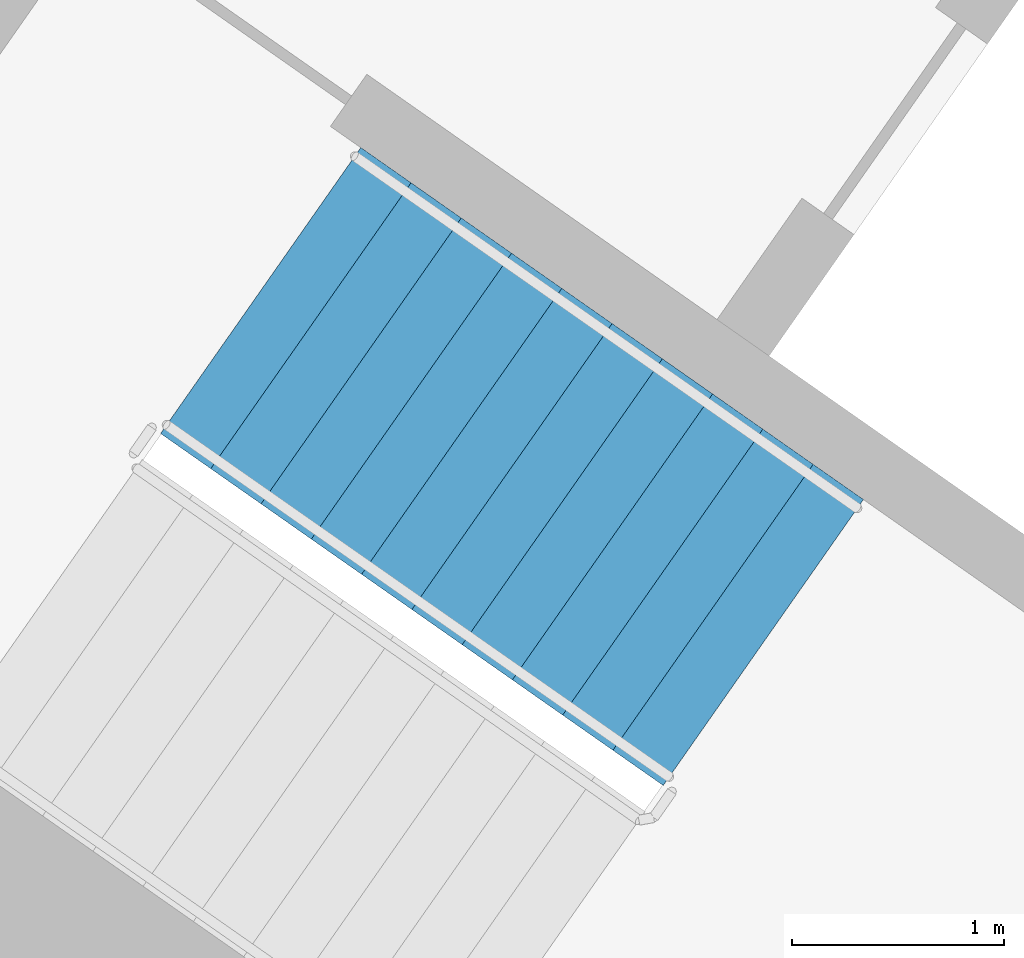
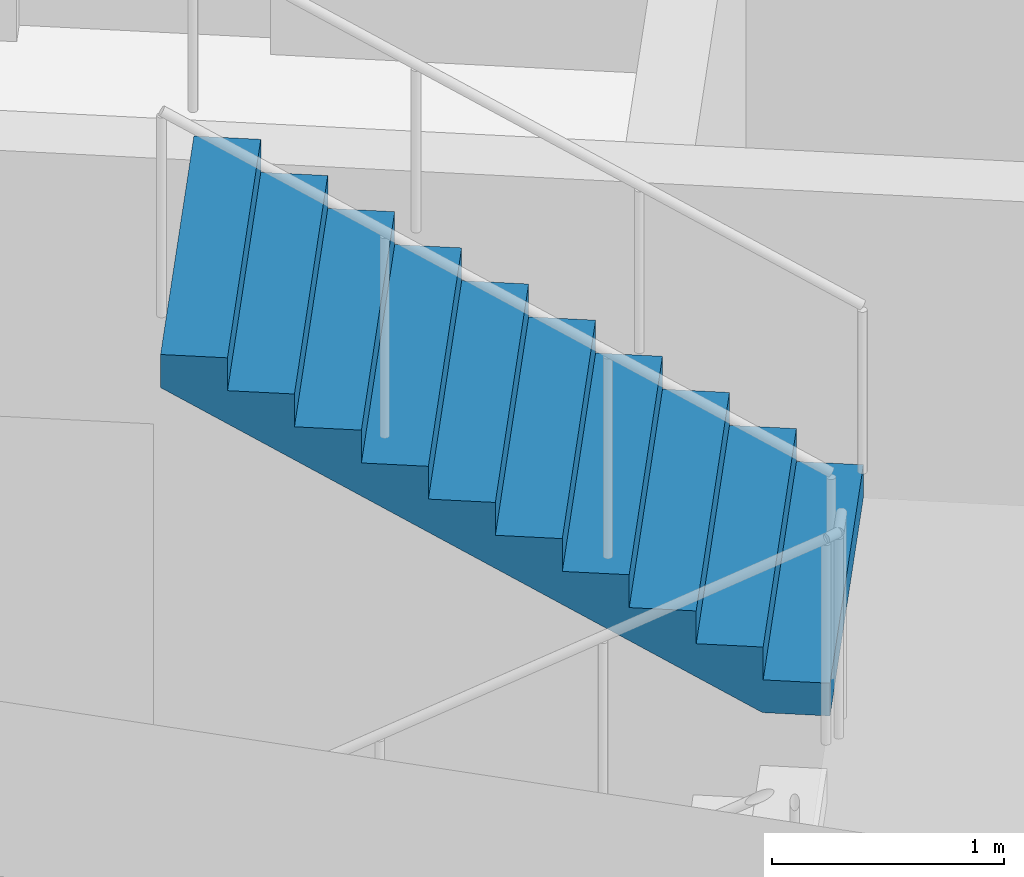
# One storey, part 10 of 29: 1 stair flight, 1 element without a shape of its own.
"""IFC4 building model written with IfcOpenShell, lengths in metres."""

from ifc_helpers import new_model, si_unit, direction, frame, origin, place, context, subcontext, project, spatial, faceted_brep, material, type_object, element, aggregate, save


model = new_model("IFC4")

# Units and contexts
model_context = context("Model", 3, precision=1e-05, world=origin(), true_north=direction((0.0, 1.0)))
body_context = subcontext(model_context, "Body", "Model", "MODEL_VIEW")
ifc_project = project(units=[si_unit("LENGTHUNIT", "METRE"), si_unit("AREAUNIT", "SQUARE_METRE"), si_unit("VOLUMEUNIT", "CUBIC_METRE"), si_unit("PLANEANGLEUNIT", "RADIAN"), si_unit("MASSUNIT", "GRAM", prefix="KILO")], contexts=[model_context])

# Site, building, storey
site_placement = place(None, origin())
site = spatial("IfcSite", under=ifc_project, at=site_placement, CompositionType="ELEMENT")
building_placement = place(site_placement, origin())
building = spatial("IfcBuilding", under=site, at=building_placement, Name="Qamariyya Broadcast Tower", CompositionType="ELEMENT")
storey_placement = place(building_placement, frame((0.0, 0.0, 121.5)))
storey = spatial("IfcBuildingStorey", under=building, at=storey_placement, Name="L27", CompositionType="ELEMENT", Elevation=121.5)

# Stair, stair flight
ifc_material = material(Name="Concrete C50/60", Category="concrete")
stair_type = type_object("IfcStairType", Name="Exit stair 22 risers of 173 mm", PredefinedType="HALF_TURN_STAIR", material=ifc_material)
stair_placement = place(storey_placement, origin())
stair = element("IfcStair", 1, at=stair_placement, inside=storey, type_object=stair_type, Name="L27 Stair W1", PredefinedType="HALF_TURN_STAIR")
stair_flight_type = type_object("IfcStairFlightType", Name="Exit stair flight 11 risers of 173 mm", PredefinedType="STRAIGHT", material=ifc_material)
stair_flight_placement = place(storey_placement, frame((-43.660888671875, -57.17138671875, 1.89990234375), z_axis=(0.0, 0.0, 1.0), x_axis=(-0.819152044289, 0.573576436351, 0.0)))
stair_flight = element("IfcStairFlight", 2, at=stair_flight_placement, type_object=stair_flight_type, Name="ST-W1 flight 2", NumberOfRisers=11, NumberOfTreads=10, PredefinedType="STRAIGHT", RiserHeight=0.172727273, TreadLength=0.29, context=body_context, shape_type="Brep", body=[
    faceted_brep([(0.0, 0.824951171875, 0.0), (0.0, 0.824951171875, 0.172607421875), (0.2900390625, 0.824951171875, 0.172607421875), (0.2900390625, 0.824951171875, 0.345458984375), (0.580078125, 0.824951171875, 0.345458984375), (0.580078125, 0.824951171875, 0.51806640625), (0.8701171875, 0.824951171875, 0.51806640625), (0.8701171875, 0.824951171875, 0.69091796875), (1.159912109375, 0.824951171875, 0.69091796875), (1.159912109375, 0.824951171875, 0.863525390625), (1.449951171875, 0.824951171875, 0.863525390625), (1.449951171875, 0.824951171875, 1.036376953125), (1.739990234375, 0.824951171875, 1.036376953125), (1.739990234375, 0.824951171875, 1.208984375), (2.030029296875, 0.824951171875, 1.208984375), (2.030029296875, 0.824951171875, 1.3818359375), (2.320068359375, 0.824951171875, 1.3818359375), (2.320068359375, 0.824951171875, 1.554443359375), (2.610107421875, 0.824951171875, 1.554443359375), (2.610107421875, 0.824951171875, 1.727294921875), (2.89990234375, 0.824951171875, 1.727294921875), (2.89990234375, 0.824951171875, 1.552734375), (0.29296875, 0.824951171875, 0.0), (0.29296875, -0.824951171875, 0.0), (2.89990234375, -0.824951171875, 1.552734375), (2.89990234375, -0.824951171875, 1.727294921875), (2.610107421875, -0.824951171875, 1.727294921875), (2.610107421875, -0.824951171875, 1.554443359375), (2.320068359375, -0.824951171875, 1.554443359375), (2.320068359375, -0.824951171875, 1.3818359375), (2.030029296875, -0.824951171875, 1.3818359375), (2.030029296875, -0.824951171875, 1.208984375), (1.739990234375, -0.824951171875, 1.208984375), (1.739990234375, -0.824951171875, 1.036376953125), (1.449951171875, -0.824951171875, 1.036376953125), (1.449951171875, -0.824951171875, 0.863525390625), (1.159912109375, -0.824951171875, 0.863525390625), (1.159912109375, -0.824951171875, 0.69091796875), (0.8701171875, -0.824951171875, 0.69091796875), (0.8701171875, -0.824951171875, 0.51806640625), (0.580078125, -0.824951171875, 0.51806640625), (0.580078125, -0.824951171875, 0.345458984375), (0.2900390625, -0.824951171875, 0.345458984375), (0.2900390625, -0.824951171875, 0.172607421875), (0.0, -0.824951171875, 0.172607421875), (0.0, -0.824951171875, 0.0), (0.0, 0.10009765625, 0.0), (0.0, 0.086669921875, 0.0), (0.0, 0.0732421875, 0.0), (0.0, 0.06005859375, 0.0), (0.0, 0.046630859375, 0.0), (0.0, 0.033447265625, 0.0), (0.0, 0.02001953125, 0.0), (0.0, 0.006591796875, 0.0), (0.0, -0.006591796875, 0.0), (0.0, -0.02001953125, 0.0), (0.0, -0.033447265625, 0.0), (0.0, -0.046630859375, 0.0), (0.0, -0.06005859375, 0.0), (0.0, -0.0732421875, 0.0), (0.0, -0.086669921875, 0.0), (0.0, -0.10009765625, 0.0), (0.0, -0.10009765625, 0.172607421875), (0.0, -0.086669921875, 0.172607421875), (0.0, -0.0732421875, 0.172607421875), (0.0, -0.06005859375, 0.172607421875), (0.0, -0.046630859375, 0.172607421875), (0.0, -0.033447265625, 0.172607421875), (0.0, -0.02001953125, 0.172607421875), (0.0, -0.006591796875, 0.172607421875), (0.0, 0.006591796875, 0.172607421875), (0.0, 0.02001953125, 0.172607421875), (0.0, 0.033447265625, 0.172607421875), (0.0, 0.046630859375, 0.172607421875), (0.0, 0.06005859375, 0.172607421875), (0.0, 0.0732421875, 0.172607421875), (0.0, 0.086669921875, 0.172607421875), (0.0, 0.10009765625, 0.172607421875), (0.2900390625, -0.10009765625, 0.172607421875), (0.2900390625, -0.086669921875, 0.172607421875), (0.2900390625, -0.0732421875, 0.172607421875), (0.2900390625, -0.06005859375, 0.172607421875), (0.2900390625, -0.046630859375, 0.172607421875), (0.2900390625, -0.033447265625, 0.172607421875), (0.2900390625, -0.02001953125, 0.172607421875), (0.2900390625, -0.006591796875, 0.172607421875), (0.2900390625, 0.006591796875, 0.172607421875), (0.2900390625, 0.02001953125, 0.172607421875), (0.2900390625, 0.033447265625, 0.172607421875), (0.2900390625, 0.046630859375, 0.172607421875), (0.2900390625, 0.06005859375, 0.172607421875), (0.2900390625, 0.0732421875, 0.172607421875), (0.2900390625, 0.086669921875, 0.172607421875), (0.2900390625, 0.10009765625, 0.172607421875), (0.2900390625, -0.10009765625, 0.345458984375), (0.2900390625, -0.086669921875, 0.345458984375), (0.2900390625, -0.0732421875, 0.345458984375), (0.2900390625, -0.06005859375, 0.345458984375), (0.2900390625, -0.046630859375, 0.345458984375), (0.2900390625, -0.033447265625, 0.345458984375), (0.2900390625, -0.02001953125, 0.345458984375), (0.2900390625, -0.006591796875, 0.345458984375), (0.2900390625, 0.006591796875, 0.345458984375), (0.2900390625, 0.02001953125, 0.345458984375), (0.2900390625, 0.033447265625, 0.345458984375), (0.2900390625, 0.046630859375, 0.345458984375), (0.2900390625, 0.06005859375, 0.345458984375), (0.2900390625, 0.0732421875, 0.345458984375), (0.2900390625, 0.086669921875, 0.345458984375), (0.2900390625, 0.10009765625, 0.345458984375), (0.580078125, -0.10009765625, 0.345458984375), (0.580078125, -0.086669921875, 0.345458984375), (0.580078125, -0.0732421875, 0.345458984375), (0.580078125, -0.06005859375, 0.345458984375), (0.580078125, -0.046630859375, 0.345458984375), (0.580078125, -0.033447265625, 0.345458984375), (0.580078125, -0.02001953125, 0.345458984375), (0.580078125, -0.006591796875, 0.345458984375), (0.580078125, 0.006591796875, 0.345458984375), (0.580078125, 0.02001953125, 0.345458984375), (0.580078125, 0.033447265625, 0.345458984375), (0.580078125, 0.046630859375, 0.345458984375), (0.580078125, 0.06005859375, 0.345458984375), (0.580078125, 0.0732421875, 0.345458984375), (0.580078125, 0.086669921875, 0.345458984375), (0.580078125, 0.10009765625, 0.345458984375), (0.580078125, -0.10009765625, 0.51806640625), (0.580078125, -0.086669921875, 0.51806640625), (0.580078125, -0.0732421875, 0.51806640625), (0.580078125, -0.06005859375, 0.51806640625), (0.580078125, -0.046630859375, 0.51806640625), (0.580078125, -0.033447265625, 0.51806640625), (0.580078125, -0.02001953125, 0.51806640625), (0.580078125, -0.006591796875, 0.51806640625), (0.580078125, 0.006591796875, 0.51806640625), (0.580078125, 0.02001953125, 0.51806640625), (0.580078125, 0.033447265625, 0.51806640625), (0.580078125, 0.046630859375, 0.51806640625), (0.580078125, 0.06005859375, 0.51806640625), (0.580078125, 0.0732421875, 0.51806640625), (0.580078125, 0.086669921875, 0.51806640625), (0.580078125, 0.10009765625, 0.51806640625), (0.8701171875, -0.10009765625, 0.51806640625), (0.8701171875, -0.086669921875, 0.51806640625), (0.8701171875, -0.0732421875, 0.51806640625), (0.8701171875, -0.06005859375, 0.51806640625), (0.8701171875, -0.046630859375, 0.51806640625), (0.8701171875, -0.033447265625, 0.51806640625), (0.8701171875, -0.02001953125, 0.51806640625), (0.8701171875, -0.006591796875, 0.51806640625), (0.8701171875, 0.006591796875, 0.51806640625), (0.8701171875, 0.02001953125, 0.51806640625), (0.8701171875, 0.033447265625, 0.51806640625), (0.8701171875, 0.046630859375, 0.51806640625), (0.8701171875, 0.06005859375, 0.51806640625), (0.8701171875, 0.0732421875, 0.51806640625), (0.8701171875, 0.086669921875, 0.51806640625), (0.8701171875, 0.10009765625, 0.51806640625), (0.8701171875, -0.10009765625, 0.69091796875), (0.8701171875, -0.086669921875, 0.69091796875), (0.8701171875, -0.0732421875, 0.69091796875), (0.8701171875, -0.06005859375, 0.69091796875), (0.8701171875, -0.046630859375, 0.69091796875), (0.8701171875, -0.033447265625, 0.69091796875), (0.8701171875, -0.02001953125, 0.69091796875), (0.8701171875, -0.006591796875, 0.69091796875), (0.8701171875, 0.006591796875, 0.69091796875), (0.8701171875, 0.02001953125, 0.69091796875), (0.8701171875, 0.033447265625, 0.69091796875), (0.8701171875, 0.046630859375, 0.69091796875), (0.8701171875, 0.06005859375, 0.69091796875), (0.8701171875, 0.0732421875, 0.69091796875), (0.8701171875, 0.086669921875, 0.69091796875), (0.8701171875, 0.10009765625, 0.69091796875), (1.159912109375, -0.10009765625, 0.69091796875), (1.159912109375, -0.086669921875, 0.69091796875), (1.159912109375, -0.0732421875, 0.69091796875), (1.159912109375, -0.06005859375, 0.69091796875), (1.159912109375, -0.046630859375, 0.69091796875), (1.159912109375, -0.033447265625, 0.69091796875), (1.159912109375, -0.02001953125, 0.69091796875), (1.159912109375, -0.006591796875, 0.69091796875), (1.159912109375, 0.006591796875, 0.69091796875), (1.159912109375, 0.02001953125, 0.69091796875), (1.159912109375, 0.033447265625, 0.69091796875), (1.159912109375, 0.046630859375, 0.69091796875), (1.159912109375, 0.06005859375, 0.69091796875), (1.159912109375, 0.0732421875, 0.69091796875), (1.159912109375, 0.086669921875, 0.69091796875), (1.159912109375, 0.10009765625, 0.69091796875), (1.159912109375, -0.10009765625, 0.863525390625), (1.159912109375, -0.086669921875, 0.863525390625), (1.159912109375, -0.0732421875, 0.863525390625), (1.159912109375, -0.06005859375, 0.863525390625), (1.159912109375, -0.046630859375, 0.863525390625), (1.159912109375, -0.033447265625, 0.863525390625), (1.159912109375, -0.02001953125, 0.863525390625), (1.159912109375, -0.006591796875, 0.863525390625), (1.159912109375, 0.006591796875, 0.863525390625), (1.159912109375, 0.02001953125, 0.863525390625), (1.159912109375, 0.033447265625, 0.863525390625), (1.159912109375, 0.046630859375, 0.863525390625), (1.159912109375, 0.06005859375, 0.863525390625), (1.159912109375, 0.0732421875, 0.863525390625), (1.159912109375, 0.086669921875, 0.863525390625), (1.159912109375, 0.10009765625, 0.863525390625), (1.449951171875, -0.10009765625, 0.863525390625), (1.449951171875, -0.086669921875, 0.863525390625), (1.449951171875, -0.0732421875, 0.863525390625), (1.449951171875, -0.06005859375, 0.863525390625), (1.449951171875, -0.046630859375, 0.863525390625), (1.449951171875, -0.033447265625, 0.863525390625), (1.449951171875, -0.02001953125, 0.863525390625), (1.449951171875, -0.006591796875, 0.863525390625), (1.449951171875, 0.006591796875, 0.863525390625), (1.449951171875, 0.02001953125, 0.863525390625), (1.449951171875, 0.033447265625, 0.863525390625), (1.449951171875, 0.046630859375, 0.863525390625), (1.449951171875, 0.06005859375, 0.863525390625), (1.449951171875, 0.0732421875, 0.863525390625), (1.449951171875, 0.086669921875, 0.863525390625), (1.449951171875, 0.10009765625, 0.863525390625), (1.449951171875, -0.10009765625, 1.036376953125), (1.449951171875, -0.086669921875, 1.036376953125), (1.449951171875, -0.0732421875, 1.036376953125), (1.449951171875, -0.06005859375, 1.036376953125), (1.449951171875, -0.046630859375, 1.036376953125), (1.449951171875, -0.033447265625, 1.036376953125), (1.449951171875, -0.02001953125, 1.036376953125), (1.449951171875, -0.006591796875, 1.036376953125), (1.449951171875, 0.006591796875, 1.036376953125), (1.449951171875, 0.02001953125, 1.036376953125), (1.449951171875, 0.033447265625, 1.036376953125), (1.449951171875, 0.046630859375, 1.036376953125), (1.449951171875, 0.06005859375, 1.036376953125), (1.449951171875, 0.0732421875, 1.036376953125), (1.449951171875, 0.086669921875, 1.036376953125), (1.449951171875, 0.10009765625, 1.036376953125), (1.739990234375, -0.10009765625, 1.036376953125), (1.739990234375, -0.086669921875, 1.036376953125), (1.739990234375, -0.0732421875, 1.036376953125), (1.739990234375, -0.06005859375, 1.036376953125), (1.739990234375, -0.046630859375, 1.036376953125), (1.739990234375, -0.033447265625, 1.036376953125), (1.739990234375, -0.02001953125, 1.036376953125), (1.739990234375, -0.006591796875, 1.036376953125), (1.739990234375, 0.006591796875, 1.036376953125), (1.739990234375, 0.02001953125, 1.036376953125), (1.739990234375, 0.033447265625, 1.036376953125), (1.739990234375, 0.046630859375, 1.036376953125), (1.739990234375, 0.06005859375, 1.036376953125), (1.739990234375, 0.0732421875, 1.036376953125), (1.739990234375, 0.086669921875, 1.036376953125), (1.739990234375, 0.10009765625, 1.036376953125), (1.739990234375, -0.10009765625, 1.208984375), (1.739990234375, -0.086669921875, 1.208984375), (1.739990234375, -0.0732421875, 1.208984375), (1.739990234375, -0.06005859375, 1.208984375), (1.739990234375, -0.046630859375, 1.208984375), (1.739990234375, -0.033447265625, 1.208984375), (1.739990234375, -0.02001953125, 1.208984375), (1.739990234375, -0.006591796875, 1.208984375), (1.739990234375, 0.006591796875, 1.208984375), (1.739990234375, 0.02001953125, 1.208984375), (1.739990234375, 0.033447265625, 1.208984375), (1.739990234375, 0.046630859375, 1.208984375), (1.739990234375, 0.06005859375, 1.208984375), (1.739990234375, 0.0732421875, 1.208984375), (1.739990234375, 0.086669921875, 1.208984375), (1.739990234375, 0.10009765625, 1.208984375), (2.030029296875, -0.10009765625, 1.208984375), (2.030029296875, -0.086669921875, 1.208984375), (2.030029296875, -0.0732421875, 1.208984375), (2.030029296875, -0.06005859375, 1.208984375), (2.030029296875, -0.046630859375, 1.208984375), (2.030029296875, -0.033447265625, 1.208984375), (2.030029296875, -0.02001953125, 1.208984375), (2.030029296875, -0.006591796875, 1.208984375), (2.030029296875, 0.006591796875, 1.208984375), (2.030029296875, 0.02001953125, 1.208984375), (2.030029296875, 0.033447265625, 1.208984375), (2.030029296875, 0.046630859375, 1.208984375), (2.030029296875, 0.06005859375, 1.208984375), (2.030029296875, 0.0732421875, 1.208984375), (2.030029296875, 0.086669921875, 1.208984375), (2.030029296875, 0.10009765625, 1.208984375), (2.030029296875, -0.10009765625, 1.3818359375), (2.030029296875, -0.086669921875, 1.3818359375), (2.030029296875, -0.0732421875, 1.3818359375), (2.030029296875, -0.06005859375, 1.3818359375), (2.030029296875, -0.046630859375, 1.3818359375), (2.030029296875, -0.033447265625, 1.3818359375), (2.030029296875, -0.02001953125, 1.3818359375), (2.030029296875, -0.006591796875, 1.3818359375), (2.030029296875, 0.006591796875, 1.3818359375), (2.030029296875, 0.02001953125, 1.3818359375), (2.030029296875, 0.033447265625, 1.3818359375), (2.030029296875, 0.046630859375, 1.3818359375), (2.030029296875, 0.06005859375, 1.3818359375), (2.030029296875, 0.0732421875, 1.3818359375), (2.030029296875, 0.086669921875, 1.3818359375), (2.030029296875, 0.10009765625, 1.3818359375), (2.320068359375, -0.10009765625, 1.3818359375), (2.320068359375, -0.086669921875, 1.3818359375), (2.320068359375, -0.0732421875, 1.3818359375), (2.320068359375, -0.06005859375, 1.3818359375), (2.320068359375, -0.046630859375, 1.3818359375), (2.320068359375, -0.033447265625, 1.3818359375), (2.320068359375, -0.02001953125, 1.3818359375), (2.320068359375, -0.006591796875, 1.3818359375), (2.320068359375, 0.006591796875, 1.3818359375), (2.320068359375, 0.02001953125, 1.3818359375), (2.320068359375, 0.033447265625, 1.3818359375), (2.320068359375, 0.046630859375, 1.3818359375), (2.320068359375, 0.06005859375, 1.3818359375), (2.320068359375, 0.0732421875, 1.3818359375), (2.320068359375, 0.086669921875, 1.3818359375), (2.320068359375, 0.10009765625, 1.3818359375), (2.320068359375, -0.10009765625, 1.554443359375), (2.320068359375, -0.086669921875, 1.554443359375), (2.320068359375, -0.0732421875, 1.554443359375), (2.320068359375, -0.06005859375, 1.554443359375), (2.320068359375, -0.046630859375, 1.554443359375), (2.320068359375, -0.033447265625, 1.554443359375), (2.320068359375, -0.02001953125, 1.554443359375), (2.320068359375, -0.006591796875, 1.554443359375), (2.320068359375, 0.006591796875, 1.554443359375), (2.320068359375, 0.02001953125, 1.554443359375), (2.320068359375, 0.033447265625, 1.554443359375), (2.320068359375, 0.046630859375, 1.554443359375), (2.320068359375, 0.06005859375, 1.554443359375), (2.320068359375, 0.0732421875, 1.554443359375), (2.320068359375, 0.086669921875, 1.554443359375), (2.320068359375, 0.10009765625, 1.554443359375), (2.610107421875, -0.10009765625, 1.554443359375), (2.610107421875, -0.086669921875, 1.554443359375), (2.610107421875, -0.0732421875, 1.554443359375), (2.610107421875, -0.06005859375, 1.554443359375), (2.610107421875, -0.046630859375, 1.554443359375), (2.610107421875, -0.033447265625, 1.554443359375), (2.610107421875, -0.02001953125, 1.554443359375), (2.610107421875, -0.006591796875, 1.554443359375), (2.610107421875, 0.006591796875, 1.554443359375), (2.610107421875, 0.02001953125, 1.554443359375), (2.610107421875, 0.033447265625, 1.554443359375), (2.610107421875, 0.046630859375, 1.554443359375), (2.610107421875, 0.06005859375, 1.554443359375), (2.610107421875, 0.0732421875, 1.554443359375), (2.610107421875, 0.086669921875, 1.554443359375), (2.610107421875, 0.10009765625, 1.554443359375), (2.610107421875, -0.10009765625, 1.727294921875), (2.610107421875, -0.086669921875, 1.727294921875), (2.610107421875, -0.0732421875, 1.727294921875), (2.610107421875, -0.06005859375, 1.727294921875), (2.610107421875, -0.046630859375, 1.727294921875), (2.610107421875, -0.033447265625, 1.727294921875), (2.610107421875, -0.02001953125, 1.727294921875), (2.610107421875, -0.006591796875, 1.727294921875), (2.610107421875, 0.006591796875, 1.727294921875), (2.610107421875, 0.02001953125, 1.727294921875), (2.610107421875, 0.033447265625, 1.727294921875), (2.610107421875, 0.046630859375, 1.727294921875), (2.610107421875, 0.06005859375, 1.727294921875), (2.610107421875, 0.0732421875, 1.727294921875), (2.610107421875, 0.086669921875, 1.727294921875), (2.610107421875, 0.10009765625, 1.727294921875), (2.89990234375, -0.10009765625, 1.727294921875), (2.89990234375, -0.086669921875, 1.727294921875), (2.89990234375, -0.0732421875, 1.727294921875), (2.89990234375, -0.06005859375, 1.727294921875), (2.89990234375, -0.046630859375, 1.727294921875), (2.89990234375, -0.033447265625, 1.727294921875), (2.89990234375, -0.02001953125, 1.727294921875), (2.89990234375, -0.006591796875, 1.727294921875), (2.89990234375, 0.006591796875, 1.727294921875), (2.89990234375, 0.02001953125, 1.727294921875), (2.89990234375, 0.033447265625, 1.727294921875), (2.89990234375, 0.046630859375, 1.727294921875), (2.89990234375, 0.06005859375, 1.727294921875), (2.89990234375, 0.0732421875, 1.727294921875), (2.89990234375, 0.086669921875, 1.727294921875), (2.89990234375, 0.10009765625, 1.727294921875), (2.89990234375, -0.10009765625, 1.552734375), (2.89990234375, -0.086669921875, 1.552734375), (2.89990234375, -0.0732421875, 1.552734375), (2.89990234375, -0.06005859375, 1.552734375), (2.89990234375, -0.046630859375, 1.552734375), (2.89990234375, -0.033447265625, 1.552734375), (2.89990234375, -0.02001953125, 1.552734375), (2.89990234375, -0.006591796875, 1.552734375), (2.89990234375, 0.006591796875, 1.552734375), (2.89990234375, 0.02001953125, 1.552734375), (2.89990234375, 0.033447265625, 1.552734375), (2.89990234375, 0.046630859375, 1.552734375), (2.89990234375, 0.06005859375, 1.552734375), (2.89990234375, 0.0732421875, 1.552734375), (2.89990234375, 0.086669921875, 1.552734375), (2.89990234375, 0.10009765625, 1.552734375), (0.29296875, -0.10009765625, 0.0), (0.29296875, -0.086669921875, 0.0), (0.29296875, -0.0732421875, 0.0), (0.29296875, -0.06005859375, 0.0), (0.29296875, -0.046630859375, 0.0), (0.29296875, -0.033447265625, 0.0), (0.29296875, -0.02001953125, 0.0), (0.29296875, -0.006591796875, 0.0), (0.29296875, 0.006591796875, 0.0), (0.29296875, 0.02001953125, 0.0), (0.29296875, 0.033447265625, 0.0), (0.29296875, 0.046630859375, 0.0), (0.29296875, 0.06005859375, 0.0), (0.29296875, 0.0732421875, 0.0), (0.29296875, 0.086669921875, 0.0), (0.29296875, 0.10009765625, 0.0)], [[[0, 1, 2, 3, 4, 5, 6, 7, 8, 9, 10, 11, 12, 13, 14, 15, 16, 17, 18, 19, 20, 21, 22]], [[23, 24, 25, 26, 27, 28, 29, 30, 31, 32, 33, 34, 35, 36, 37, 38, 39, 40, 41, 42, 43, 44, 45]], [[0, 46, 47, 48, 49, 50, 51, 52, 53, 54, 55, 56, 57, 58, 59, 60, 61, 45, 44, 62, 63, 64, 65, 66, 67, 68, 69, 70, 71, 72, 73, 74, 75, 76, 77, 1]], [[1, 77, 76, 75, 74, 73, 72, 71, 70, 69, 68, 67, 66, 65, 64, 63, 62, 44, 43, 78, 79, 80, 81, 82, 83, 84, 85, 86, 87, 88, 89, 90, 91, 92, 93, 2]], [[2, 93, 92, 91, 90, 89, 88, 87, 86, 85, 84, 83, 82, 81, 80, 79, 78, 43, 42, 94, 95, 96, 97, 98, 99, 100, 101, 102, 103, 104, 105, 106, 107, 108, 109, 3]], [[3, 109, 108, 107, 106, 105, 104, 103, 102, 101, 100, 99, 98, 97, 96, 95, 94, 42, 41, 110, 111, 112, 113, 114, 115, 116, 117, 118, 119, 120, 121, 122, 123, 124, 125, 4]], [[4, 125, 124, 123, 122, 121, 120, 119, 118, 117, 116, 115, 114, 113, 112, 111, 110, 41, 40, 126, 127, 128, 129, 130, 131, 132, 133, 134, 135, 136, 137, 138, 139, 140, 141, 5]], [[5, 141, 140, 139, 138, 137, 136, 135, 134, 133, 132, 131, 130, 129, 128, 127, 126, 40, 39, 142, 143, 144, 145, 146, 147, 148, 149, 150, 151, 152, 153, 154, 155, 156, 157, 6]], [[6, 157, 156, 155, 154, 153, 152, 151, 150, 149, 148, 147, 146, 145, 144, 143, 142, 39, 38, 158, 159, 160, 161, 162, 163, 164, 165, 166, 167, 168, 169, 170, 171, 172, 173, 7]], [[7, 173, 172, 171, 170, 169, 168, 167, 166, 165, 164, 163, 162, 161, 160, 159, 158, 38, 37, 174, 175, 176, 177, 178, 179, 180, 181, 182, 183, 184, 185, 186, 187, 188, 189, 8]], [[8, 189, 188, 187, 186, 185, 184, 183, 182, 181, 180, 179, 178, 177, 176, 175, 174, 37, 36, 190, 191, 192, 193, 194, 195, 196, 197, 198, 199, 200, 201, 202, 203, 204, 205, 9]], [[9, 205, 204, 203, 202, 201, 200, 199, 198, 197, 196, 195, 194, 193, 192, 191, 190, 36, 35, 206, 207, 208, 209, 210, 211, 212, 213, 214, 215, 216, 217, 218, 219, 220, 221, 10]], [[10, 221, 220, 219, 218, 217, 216, 215, 214, 213, 212, 211, 210, 209, 208, 207, 206, 35, 34, 222, 223, 224, 225, 226, 227, 228, 229, 230, 231, 232, 233, 234, 235, 236, 237, 11]], [[11, 237, 236, 235, 234, 233, 232, 231, 230, 229, 228, 227, 226, 225, 224, 223, 222, 34, 33, 238, 239, 240, 241, 242, 243, 244, 245, 246, 247, 248, 249, 250, 251, 252, 253, 12]], [[12, 253, 252, 251, 250, 249, 248, 247, 246, 245, 244, 243, 242, 241, 240, 239, 238, 33, 32, 254, 255, 256, 257, 258, 259, 260, 261, 262, 263, 264, 265, 266, 267, 268, 269, 13]], [[13, 269, 268, 267, 266, 265, 264, 263, 262, 261, 260, 259, 258, 257, 256, 255, 254, 32, 31, 270, 271, 272, 273, 274, 275, 276, 277, 278, 279, 280, 281, 282, 283, 284, 285, 14]], [[14, 285, 284, 283, 282, 281, 280, 279, 278, 277, 276, 275, 274, 273, 272, 271, 270, 31, 30, 286, 287, 288, 289, 290, 291, 292, 293, 294, 295, 296, 297, 298, 299, 300, 301, 15]], [[15, 301, 300, 299, 298, 297, 296, 295, 294, 293, 292, 291, 290, 289, 288, 287, 286, 30, 29, 302, 303, 304, 305, 306, 307, 308, 309, 310, 311, 312, 313, 314, 315, 316, 317, 16]], [[16, 317, 316, 315, 314, 313, 312, 311, 310, 309, 308, 307, 306, 305, 304, 303, 302, 29, 28, 318, 319, 320, 321, 322, 323, 324, 325, 326, 327, 328, 329, 330, 331, 332, 333, 17]], [[17, 333, 332, 331, 330, 329, 328, 327, 326, 325, 324, 323, 322, 321, 320, 319, 318, 28, 27, 334, 335, 336, 337, 338, 339, 340, 341, 342, 343, 344, 345, 346, 347, 348, 349, 18]], [[18, 349, 348, 347, 346, 345, 344, 343, 342, 341, 340, 339, 338, 337, 336, 335, 334, 27, 26, 350, 351, 352, 353, 354, 355, 356, 357, 358, 359, 360, 361, 362, 363, 364, 365, 19]], [[19, 365, 364, 363, 362, 361, 360, 359, 358, 357, 356, 355, 354, 353, 352, 351, 350, 26, 25, 366, 367, 368, 369, 370, 371, 372, 373, 374, 375, 376, 377, 378, 379, 380, 381, 20]], [[20, 381, 380, 379, 378, 377, 376, 375, 374, 373, 372, 371, 370, 369, 368, 367, 366, 25, 24, 382, 383, 384, 385, 386, 387, 388, 389, 390, 391, 392, 393, 394, 395, 396, 397, 21]], [[21, 397, 396, 395, 394, 393, 392, 391, 390, 389, 388, 387, 386, 385, 384, 383, 382, 24, 23, 398, 399, 400, 401, 402, 403, 404, 405, 406, 407, 408, 409, 410, 411, 412, 413, 22]], [[22, 413, 412, 411, 410, 409, 408, 407, 406, 405, 404, 403, 402, 401, 400, 399, 398, 23, 45, 61, 60, 59, 58, 57, 56, 55, 54, 53, 52, 51, 50, 49, 48, 47, 46, 0]]]),
])
aggregate(stair, [stair_flight])

save(model, "model.ifc")
